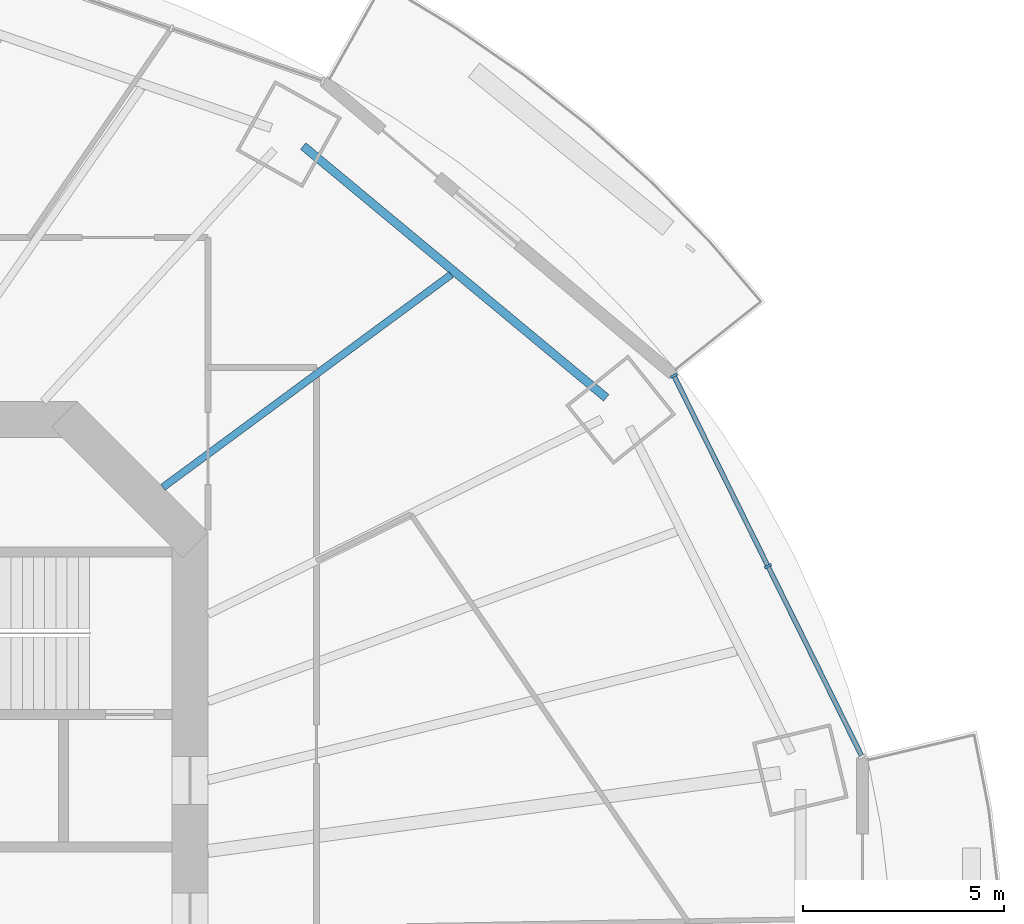
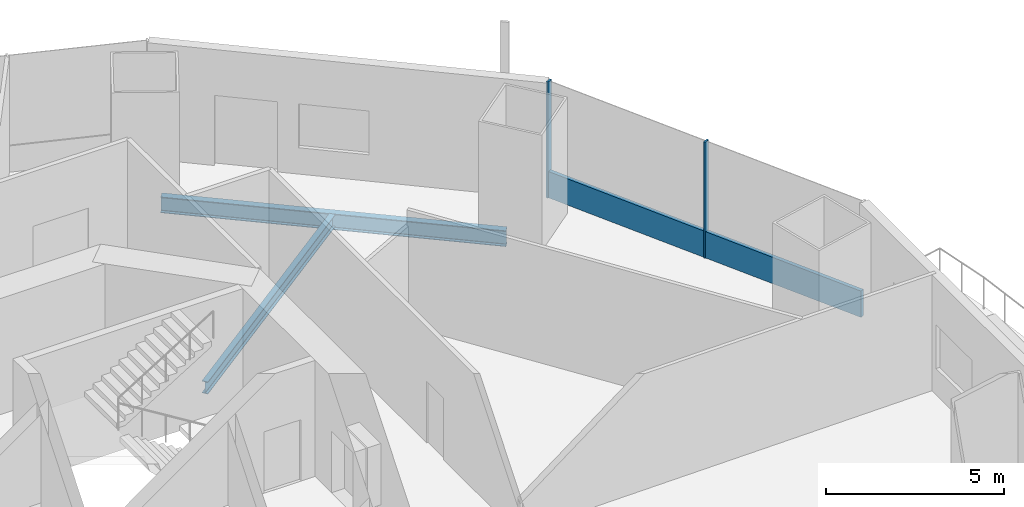
# One storey, part 8 of 21: 3 members, 2 beams, 1 element without a shape of its own.
"""IFC4 building model written with IfcOpenShell, lengths in metres."""

from ifc_helpers import new_model, si_unit, direction, frame, origin, origin_2d, place, context, subcontext, project, spatial, rectangle, i_section, extrude, material, material_profile, profile_set, type_object, element, aggregate, save


model = new_model("IFC4")

# Units and contexts
model_context = context("Model", 3, precision=1e-05, world=origin(), true_north=direction((0.0, 1.0)))
body_context = subcontext(model_context, "Body", "Model", "MODEL_VIEW")
ifc_project = project(units=[si_unit("LENGTHUNIT", "METRE"), si_unit("AREAUNIT", "SQUARE_METRE"), si_unit("VOLUMEUNIT", "CUBIC_METRE"), si_unit("PLANEANGLEUNIT", "RADIAN"), si_unit("MASSUNIT", "GRAM", prefix="KILO")], contexts=[model_context])

# Site, building, storey
site_placement = place(None, origin())
site = spatial("IfcSite", under=ifc_project, at=site_placement, CompositionType="ELEMENT")
building_placement = place(site_placement, origin())
building = spatial("IfcBuilding", under=site, at=building_placement, Name="Marenthal Gate Tower", CompositionType="ELEMENT")
storey_placement = place(building_placement, frame((0.0, 0.0, 202.550048828125)))
storey = spatial("IfcBuildingStorey", under=building, at=storey_placement, Name="L44", CompositionType="ELEMENT", Elevation=202.550048828125)

# Curtain wall, members
ifc_material_1 = material(Name="Aluminium and glass", Category="aluminium")
curtain_wall_type = type_object("IfcCurtainWallType", Name="Curtain wall typical mid", PredefinedType="NOTDEFINED", material=ifc_material_1)
curtain_wall_placement = place(storey_placement, origin())
curtain_wall = element("IfcCurtainWall", 1, at=curtain_wall_placement, inside=storey, type_object=curtain_wall_type, Name="Curtain wall L44 bay 1", PredefinedType="NOTDEFINED")
ifc_material_2 = material(Name="Aluminium", Category="aluminium")
ifc_material_profile_1 = material_profile(ifc_material_2, rectangle(XDim=0.179931640625, YDim=0.06005859375, at=origin_2d()), Name="60x180 aluminium mullion")
ifc_profile_set_1 = profile_set([ifc_material_profile_1], Name="Aluminium")
member_type_1 = type_object("IfcMemberType", Name="Mullion 60x180 typical mid", PredefinedType="MULLION", material=ifc_profile_set_1)
member_1_placement = place(storey_placement, frame((30.408203125, 9.34423828125, 0.0), z_axis=(0.0, 0.0, 1.0), x_axis=(-0.896715617309, -0.442607164057, 0.0)))
member_1 = element("IfcMember", 2, at=member_1_placement, type_object=member_type_1, Name="Mullion L44 bay 1.2", PredefinedType="MULLION", context=body_context, shape_type="SweptSolid", body=[
    extrude(rectangle(XDim=0.179931640625, YDim=0.06005859375, at=origin_2d()), origin(), (0.0, 0.0, 1.0), 3.969970703125),
])
member_2_placement = place(storey_placement, frame((28.064453125, 14.093017578125, 0.0), z_axis=(0.0, 0.0, 1.0), x_axis=(-0.896715617309, -0.442607164057, 0.0)))
member_2 = element("IfcMember", 3, at=member_2_placement, type_object=member_type_1, Name="Mullion L44 bay 1.3", PredefinedType="MULLION", context=body_context, shape_type="SweptSolid", body=[
    extrude(rectangle(XDim=0.179931640625, YDim=0.06005859375, at=origin_2d()), origin(), (0.0, 0.0, 1.0), 3.969970703125),
])
ifc_material_3 = material(Name="Aluminium", Category="aluminium")
ifc_material_profile_2 = material_profile(ifc_material_3, rectangle(XDim=0.1201171875, YDim=0.89990234375, at=origin_2d()), Name="120x900 aluminium transom")
ifc_profile_set_2 = profile_set([ifc_material_profile_2], Name="Aluminium")
member_type_2 = type_object("IfcMemberType", Name="Transom 120x900 typical mid", PredefinedType="USERDEFINED", material=ifc_profile_set_2)
member_3_placement = place(storey_placement, frame((32.73876953125, 4.622802734375, 0.449951171875), z_axis=(-0.442617393568, 0.896710568082, 0.0), x_axis=(-0.896710568082, -0.442617393568, 0.0)))
member_3 = element("IfcMember", 4, at=member_3_placement, type_object=member_type_2, Name="Transom L44 bay 1", ObjectType="TRANSOM", PredefinedType="USERDEFINED", context=body_context, shape_type="SweptSolid", body=[
    extrude(rectangle(XDim=0.1201171875, YDim=0.89990234375, at=origin_2d()), origin(), (0.0, 0.0, 1.0), 10.53076171875),
])
aggregate(curtain_wall, [member_1, member_2, member_3])

# Beams
ifc_material_4 = material(Name="Steel S355", Category="steel")
ifc_material_profile_3 = material_profile(ifc_material_4, i_section(OverallWidth=0.180908203125, OverallDepth=0.4169921875, WebThickness=0.010986328125, FlangeThickness=0.018310546875, FilletRadius=0.01025390625, at=origin_2d()), Name="W410X85")
ifc_profile_set_3 = profile_set([ifc_material_profile_3], Name="Steel S355")
beam_type_1 = type_object("IfcBeamType", Name="W410X85 beam", PredefinedType="BEAM", material=ifc_profile_set_3)
beam_1_placement = place(storey_placement, frame((22.51220703125, 16.6142578125, -0.388427734375), z_axis=(-0.804607661672, -0.593806795834, 0.0), x_axis=(0.593806795834, -0.804607661672, 0.0)))
element("IfcBeam", 5, at=beam_1_placement, inside=storey, type_object=beam_type_1, Name="BM-L44-19", PredefinedType="BEAM", context=body_context, shape_type="SweptSolid", body=[
    extrude(i_section(OverallWidth=0.180908203125, OverallDepth=0.4169921875, WebThickness=0.010986328125, FlangeThickness=0.018310546875, FilletRadius=0.01025390625, at=origin_2d()), origin(), (0.0, 0.0, 1.0), 8.931640625),
])
ifc_material_5 = material(Name="Steel S355", Category="steel")
ifc_material_profile_4 = material_profile(ifc_material_5, i_section(OverallWidth=0.2119140625, OverallDepth=0.5439453125, WebThickness=0.01318359375, FlangeThickness=0.021240234375, FilletRadius=0.0126953125, at=origin_2d()), Name="W530X123")
ifc_profile_set_4 = profile_set([ifc_material_profile_4], Name="Steel S355")
beam_type_2 = type_object("IfcBeamType", Name="W530X123 beam", PredefinedType="BEAM", material=ifc_profile_set_4)
beam_2_placement = place(storey_placement, frame((26.37646484375, 13.5419921875, -0.4521484375), z_axis=(-0.769206538699, 0.639000235386, 0.0), x_axis=(-0.639000235386, -0.769206538699, 0.0)))
element("IfcBeam", 6, at=beam_2_placement, inside=storey, type_object=beam_type_2, Name="BM-L44-42", PredefinedType="BEAM", context=body_context, shape_type="SweptSolid", body=[
    extrude(i_section(OverallWidth=0.2119140625, OverallDepth=0.5439453125, WebThickness=0.01318359375, FlangeThickness=0.021240234375, FilletRadius=0.0126953125, at=origin_2d()), origin(), (0.0, 0.0, 1.0), 9.8212890625),
])

save(model, "model.ifc")
